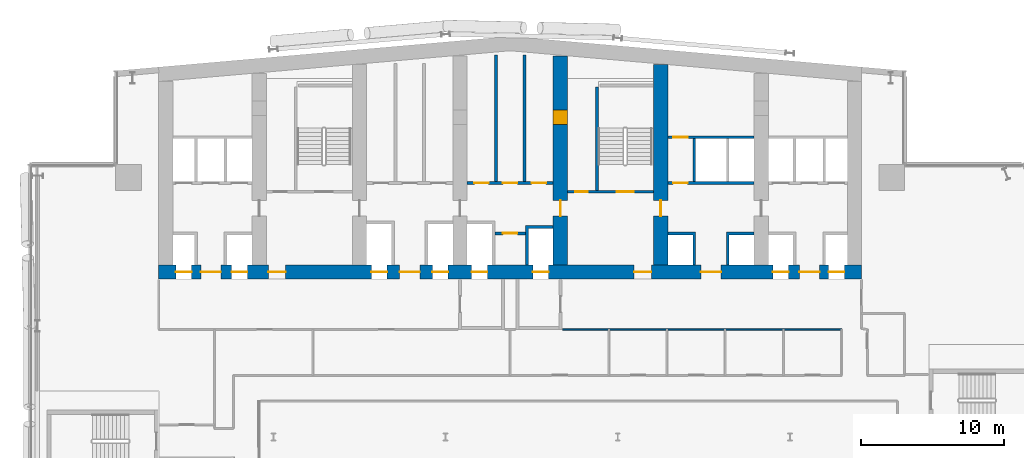
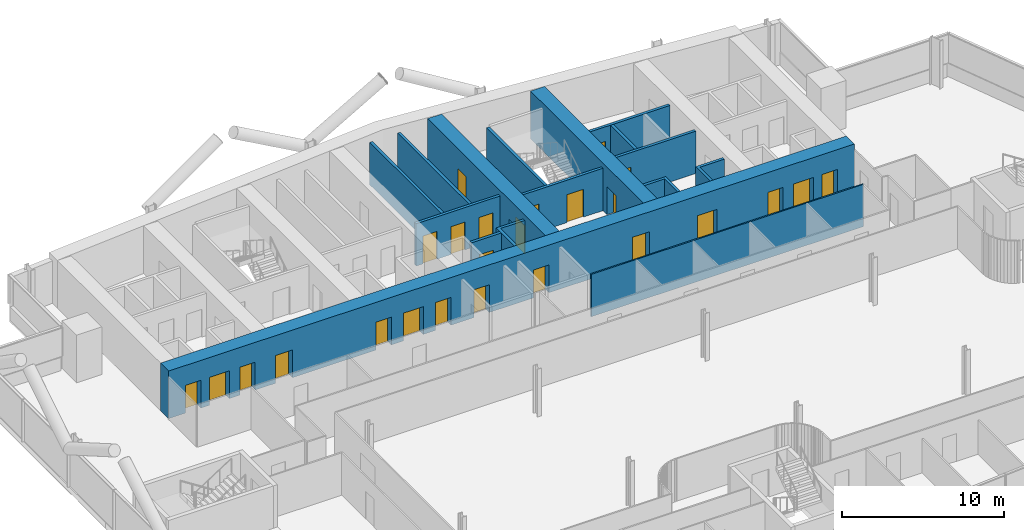
# One storey, part 21 of 30: 25 doors, 16 walls, 25 openings.
"""IFC4 building model written with IfcOpenShell, lengths in metres."""

from ifc_helpers import new_model, si_unit, direction, frame, frame_2d, origin, place, context, subcontext, project, spatial, polyline, rectangle, outline, extrude, material, layer, layer_set, type_object, element, fill, save


model = new_model("IFC4")

# Units and contexts
model_context = context("Model", 3, precision=1e-05, world=origin(), true_north=direction((0.0, 1.0)))
body_context = subcontext(model_context, "Body", "Model", "MODEL_VIEW")
ifc_project = project(units=[si_unit("LENGTHUNIT", "METRE"), si_unit("AREAUNIT", "SQUARE_METRE"), si_unit("VOLUMEUNIT", "CUBIC_METRE"), si_unit("PLANEANGLEUNIT", "RADIAN"), si_unit("MASSUNIT", "GRAM", prefix="KILO")], contexts=[model_context])

# Site, building, storey
site_placement = place(None, origin())
site = spatial("IfcSite", under=ifc_project, at=site_placement, CompositionType="ELEMENT")
building_placement = place(site_placement, origin())
building = spatial("IfcBuilding", under=site, at=building_placement, Name="Wharfspan Tower", CompositionType="ELEMENT")
storey_placement = place(building_placement, frame((0.0, 0.0, 107.5)))
storey = spatial("IfcBuildingStorey", under=building, at=storey_placement, Name="L24", CompositionType="ELEMENT", Elevation=107.5)

# Wall
ifc_material_1 = material(Name="Gypsum board on steel studs", Category="steel")
ifc_layer_1 = layer(ifc_material_1, 0.100098)
ifc_layer_set_1 = layer_set([ifc_layer_1], Name="Gypsum board on steel studs")
wall_type_1 = type_object("IfcWallType", Name="Compartment wall 100 EI 60", PredefinedType="PARTITIONING", material=ifc_layer_set_1)
wall_1_placement = place(storey_placement, frame((44.149902, 30.5, 0.0), z_axis=(0.0, 0.0, 1.0), x_axis=(1.0, 0.0, 0.0)))
element("IfcWall", 1, at=wall_1_placement, inside=storey, type_object=wall_type_1, Name="Partition L24.w005 (3)", PredefinedType="PARTITIONING", context=body_context, shape_type="SweptSolid", body=[
    extrude(rectangle(XDim=19.450195, YDim=0.100098, at=frame_2d((9.725098, 0.0))), origin(), (0.0, 0.0, 1.0), 3.199951),
])

# Wall, opening, door
ifc_material_2 = material(Name="Calcium silicate masonry", Category="masonry")
ifc_layer_2 = layer(ifc_material_2, 0.199951)
ifc_layer_set_2 = layer_set([ifc_layer_2], Name="Calcium silicate masonry")
wall_type_2 = type_object("IfcWallType", Name="Core room wall 200", PredefinedType="PARTITIONING", material=ifc_layer_set_2)
wall_2_placement = place(storey_placement, frame((39.43335, 37.199951, 0.0), z_axis=(0.0, 0.0, 1.0), x_axis=(1.0, 0.0, 0.0)))
wall_2 = element("IfcWall", 2, at=wall_2_placement, inside=storey, type_object=wall_type_2, Name="sw:L24:FR4.2", PredefinedType="PARTITIONING", context=body_context, shape_type="SweptSolid", body=[
    extrude(rectangle(XDim=2.133301, YDim=0.199951, at=frame_2d((1.06665, 0.0))), origin(), (0.0, 0.0, 1.0), 3.199951),
])
opening_1_placement = place(wall_2_placement, frame((0.56665, 0.0, 0.0)))
opening_1 = element("IfcOpeningElement", 3, at=opening_1_placement, cuts=wall_2, Name="Opening CD24.4H2", PredefinedType="OPENING", context=body_context, shape_type="SweptSolid", body=[
    extrude(rectangle(XDim=1.0, YDim=2.100098, at=frame_2d((0.5, 1.050049))), frame((0.0, 0.109863, 0.0), z_axis=(0.0, -1.0, 0.0), x_axis=(1.0, 0.0, 0.0)), (0.0, 0.0, 1.0), 0.219971),
])
ifc_material_3 = material(Name="Steel door leaf", Category="steel")
door_type_1 = type_object("IfcDoorType", Name="Core room door 1000x2100", OperationType="SINGLE_SWING_LEFT", PredefinedType="DOOR", material=ifc_material_3)
door_1_placement = place(opening_1_placement, origin())
door_1 = element("IfcDoor", 4, at=door_1_placement, inside=storey, type_object=door_type_1, Name="d:L24:4:fh4.2", OperationType="SINGLE_SWING_RIGHT", OverallHeight=2.100098, OverallWidth=1.0, PredefinedType="DOOR", context=body_context, shape_type="SweptSolid", body=[
    extrude(rectangle(XDim=1.0, YDim=2.100098, at=frame_2d((0.5, 1.050049))), frame((0.0, 0.024902, 0.0), z_axis=(0.0, -1.0, 0.0), x_axis=(1.0, 0.0, 0.0)), (0.0, 0.0, 1.0), 0.050049),
])
fill(opening_1, door_1)

# Walls
for number, where, z_axis, x_axis, name in (
    (5, (39.5, 40.800049, 0.0), (0.0, 0.0, 1.0), (0.0, 1.0, 0.0), "sw:L24:RP4.1"),
    (6, (41.5, 40.800049, 0.0), (0.0, 0.0, 1.0), (0.0, 1.0, 0.0), "sw:L24:RP4.2"),
):
    element("IfcWall", number, at=place(storey_placement, frame(where, z_axis=z_axis, x_axis=x_axis)), inside=storey, type_object=wall_type_2, Name=name, PredefinedType="PARTITIONING", context=body_context, shape_type="SweptSolid", body=[
        extrude(rectangle(XDim=8.844482, YDim=0.199951, at=frame_2d((4.422363, 0.0))), origin(), (0.0, 0.0, 1.0), 3.199951),
    ])

# Wall, openings, doors
ifc_material_4 = material(Name="Concrete C70/85", Category="concrete")
ifc_layer_3 = layer(ifc_material_4, 1.0)
ifc_layer_set_3 = layer_set([ifc_layer_3], Name="Concrete C70/85")
wall_type_3 = type_object("IfcWallType", Name="Core wall 1000 C70/85", PredefinedType="SHEAR", material=ifc_layer_set_3)
wall_3_placement = place(storey_placement, frame((16.0, 34.5, 0.0), z_axis=(0.0, 0.0, 1.0), x_axis=(1.0, 0.0, 0.0)))
wall_3 = element("IfcWall", 7, at=wall_3_placement, inside=storey, type_object=wall_type_3, Name="Core front wall L24", PredefinedType="SHEAR", context=body_context, shape_type="SweptSolid", body=[
    extrude(rectangle(XDim=49.0, YDim=1.0, at=frame_2d((24.5, 0.0))), origin(), (0.0, 0.0, 1.0), 3.600098),
])
opening_2_placement = place(wall_3_placement, frame((1.199951, 0.0, 0.0)))
opening_2 = element("IfcOpeningElement", 8, at=opening_2_placement, cuts=wall_3, Name="Opening LD.LA1.L24", PredefinedType="OPENING", context=body_context, shape_type="SweptSolid", body=[
    extrude(rectangle(XDim=1.100098, YDim=2.100098, at=frame_2d((0.550049, 1.050049))), frame((0.0, 0.51001, 0.0), z_axis=(0.0, -1.0, 0.0), x_axis=(1.0, 0.0, 0.0)), (0.0, 0.0, 1.0), 1.02002),
])
opening_3_placement = place(wall_3_placement, frame((5.083252, 0.0, 0.0)))
opening_3 = element("IfcOpeningElement", 9, at=opening_3_placement, cuts=wall_3, Name="Opening LD.LA2.L24", PredefinedType="OPENING", context=body_context, shape_type="SweptSolid", body=[
    extrude(rectangle(XDim=1.100098, YDim=2.100098, at=frame_2d((0.550049, 1.050049))), frame((0.0, 0.51001, 0.0), z_axis=(0.0, -1.0, 0.0), x_axis=(1.0, 0.0, 0.0)), (0.0, 0.0, 1.0), 1.02002),
])
opening_4_placement = place(wall_3_placement, frame((2.93335, 0.0, 0.0)))
opening_4 = element("IfcOpeningElement", 10, at=opening_4_placement, cuts=wall_3, Name="Opening HD24.1", PredefinedType="OPENING", context=body_context, shape_type="SweptSolid", body=[
    extrude(rectangle(XDim=1.399902, YDim=2.100098, at=frame_2d((0.699951, 1.050049))), frame((0.0, 0.51001, 0.0), z_axis=(0.0, -1.0, 0.0), x_axis=(1.0, 0.0, 0.0)), (0.0, 0.0, 1.0), 1.02002),
])
opening_5_placement = place(wall_3_placement, frame((7.649902, 0.0, 0.0)))
opening_5 = element("IfcOpeningElement", 11, at=opening_5_placement, cuts=wall_3, Name="Opening SV2.L24", PredefinedType="OPENING", context=body_context, shape_type="SweptSolid", body=[
    extrude(rectangle(XDim=1.199951, YDim=2.100098, at=frame_2d((0.600098, 1.050049))), frame((0.0, 0.51001, 0.0), z_axis=(0.0, -1.0, 0.0), x_axis=(1.0, 0.0, 0.0)), (0.0, 0.0, 1.0), 1.02002),
])
opening_6_placement = place(wall_3_placement, frame((14.81665, 0.0, 0.0)))
opening_6 = element("IfcOpeningElement", 12, at=opening_6_placement, cuts=wall_3, Name="Opening LD.SL1.L24", PredefinedType="OPENING", context=body_context, shape_type="SweptSolid", body=[
    extrude(rectangle(XDim=1.100098, YDim=2.100098, at=frame_2d((0.550049, 1.050049))), frame((0.0, 0.51001, 0.0), z_axis=(0.0, -1.0, 0.0), x_axis=(1.0, 0.0, 0.0)), (0.0, 0.0, 1.0), 1.02002),
])
opening_7_placement = place(wall_3_placement, frame((19.083252, 0.0, 0.0)))
opening_7 = element("IfcOpeningElement", 13, at=opening_7_placement, cuts=wall_3, Name="Opening LD.SL2.L24", PredefinedType="OPENING", context=body_context, shape_type="SweptSolid", body=[
    extrude(rectangle(XDim=1.100098, YDim=2.100098, at=frame_2d((0.550049, 1.050049))), frame((0.0, 0.51001, 0.0), z_axis=(0.0, -1.0, 0.0), x_axis=(1.0, 0.0, 0.0)), (0.0, 0.0, 1.0), 1.02002),
])
opening_8_placement = place(wall_3_placement, frame((16.800049, 0.0, 0.0)))
opening_8 = element("IfcOpeningElement", 14, at=opening_8_placement, cuts=wall_3, Name="Opening HD24.3", PredefinedType="OPENING", context=body_context, shape_type="SweptSolid", body=[
    extrude(rectangle(XDim=1.399902, YDim=2.100098, at=frame_2d((0.699951, 1.050049))), frame((0.0, 0.51001, 0.0), z_axis=(0.0, -1.0, 0.0), x_axis=(1.0, 0.0, 0.0)), (0.0, 0.0, 1.0), 1.02002),
])
opening_9_placement = place(wall_3_placement, frame((21.81665, 0.0, 0.0)))
opening_9 = element("IfcOpeningElement", 15, at=opening_9_placement, cuts=wall_3, Name="Opening LD.FF1.L24", PredefinedType="OPENING", context=body_context, shape_type="SweptSolid", body=[
    extrude(rectangle(XDim=1.100098, YDim=2.100098, at=frame_2d((0.550049, 1.050049))), frame((0.0, 0.51001, 0.0), z_axis=(0.0, -1.0, 0.0), x_axis=(1.0, 0.0, 0.0)), (0.0, 0.0, 1.0), 1.02002),
])
opening_10_placement = place(wall_3_placement, frame((26.083252, 0.0, 0.0)))
opening_10 = element("IfcOpeningElement", 16, at=opening_10_placement, cuts=wall_3, Name="Opening LD.FF2.L24", PredefinedType="OPENING", context=body_context, shape_type="SweptSolid", body=[
    extrude(rectangle(XDim=1.100098, YDim=2.100098, at=frame_2d((0.550049, 1.050049))), frame((0.0, 0.51001, 0.0), z_axis=(0.0, -1.0, 0.0), x_axis=(1.0, 0.0, 0.0)), (0.0, 0.0, 1.0), 1.02002),
])
opening_11_placement = place(wall_3_placement, frame((33.149902, 0.0, 0.0)))
opening_11 = element("IfcOpeningElement", 17, at=opening_11_placement, cuts=wall_3, Name="Opening SV5.L24", PredefinedType="OPENING", context=body_context, shape_type="SweptSolid", body=[
    extrude(rectangle(XDim=1.199951, YDim=2.100098, at=frame_2d((0.600098, 1.050049))), frame((0.0, 0.51001, 0.0), z_axis=(0.0, -1.0, 0.0), x_axis=(1.0, 0.0, 0.0)), (0.0, 0.0, 1.0), 1.02002),
])
opening_12_placement = place(wall_3_placement, frame((37.800049, 0.0, 0.0)))
opening_12 = element("IfcOpeningElement", 18, at=opening_12_placement, cuts=wall_3, Name="Opening HD24.6", PredefinedType="OPENING", context=body_context, shape_type="SweptSolid", body=[
    extrude(rectangle(XDim=1.399902, YDim=2.100098, at=frame_2d((0.699951, 1.050049))), frame((0.0, 0.51001, 0.0), z_axis=(0.0, -1.0, 0.0), x_axis=(1.0, 0.0, 0.0)), (0.0, 0.0, 1.0), 1.02002),
])
opening_13_placement = place(wall_3_placement, frame((42.81665, 0.0, 0.0)))
opening_13 = element("IfcOpeningElement", 19, at=opening_13_placement, cuts=wall_3, Name="Opening LD.LA6.L24", PredefinedType="OPENING", context=body_context, shape_type="SweptSolid", body=[
    extrude(rectangle(XDim=1.100098, YDim=2.100098, at=frame_2d((0.550049, 1.050049))), frame((0.0, 0.51001, 0.0), z_axis=(0.0, -1.0, 0.0), x_axis=(1.0, 0.0, 0.0)), (0.0, 0.0, 1.0), 1.02002),
])
opening_14_placement = place(wall_3_placement, frame((46.699951, 0.0, 0.0)))
opening_14 = element("IfcOpeningElement", 20, at=opening_14_placement, cuts=wall_3, Name="Opening LD.LA7.L24", PredefinedType="OPENING", context=body_context, shape_type="SweptSolid", body=[
    extrude(rectangle(XDim=1.100098, YDim=2.100098, at=frame_2d((0.550049, 1.050049))), frame((0.0, 0.51001, 0.0), z_axis=(0.0, -1.0, 0.0), x_axis=(1.0, 0.0, 0.0)), (0.0, 0.0, 1.0), 1.02002),
])
opening_15_placement = place(wall_3_placement, frame((44.666748, 0.0, 0.0)))
opening_15 = element("IfcOpeningElement", 21, at=opening_15_placement, cuts=wall_3, Name="Opening HD24.7", PredefinedType="OPENING", context=body_context, shape_type="SweptSolid", body=[
    extrude(rectangle(XDim=1.399902, YDim=2.100098, at=frame_2d((0.699951, 1.050049))), frame((0.0, 0.51001, 0.0), z_axis=(0.0, -1.0, 0.0), x_axis=(1.0, 0.0, 0.0)), (0.0, 0.0, 1.0), 1.02002),
])
door_type_2 = type_object("IfcDoorType", Name="Hall entry door 1400x2100", OperationType="DOUBLE_DOOR_SINGLE_SWING", PredefinedType="DOOR", material=ifc_material_3)
door_2_placement = place(opening_4_placement, origin())
door_2 = element("IfcDoor", 22, at=door_2_placement, inside=storey, type_object=door_type_2, Name="d:L24:1:hd1", OperationType="DOUBLE_DOOR_SINGLE_SWING", OverallHeight=2.100098, OverallWidth=1.399902, PredefinedType="DOOR", context=body_context, shape_type="SweptSolid", body=[
    extrude(rectangle(XDim=1.399902, YDim=2.100098, at=frame_2d((0.699951, 1.050049))), frame((0.0, 0.024902, 0.0), z_axis=(0.0, -1.0, 0.0), x_axis=(1.0, 0.0, 0.0)), (0.0, 0.0, 1.0), 0.050049),
])
fill(opening_4, door_2)
door_3_placement = place(opening_8_placement, origin())
door_3 = element("IfcDoor", 23, at=door_3_placement, inside=storey, type_object=door_type_2, Name="d:L24:3:hd3", OperationType="DOUBLE_DOOR_SINGLE_SWING", OverallHeight=2.100098, OverallWidth=1.399902, PredefinedType="DOOR", context=body_context, shape_type="SweptSolid", body=[
    extrude(rectangle(XDim=1.399902, YDim=2.100098, at=frame_2d((0.699951, 1.050049))), frame((0.0, 0.024902, 0.0), z_axis=(0.0, -1.0, 0.0), x_axis=(1.0, 0.0, 0.0)), (0.0, 0.0, 1.0), 0.050049),
])
fill(opening_8, door_3)
door_4_placement = place(opening_12_placement, origin())
door_4 = element("IfcDoor", 24, at=door_4_placement, inside=storey, type_object=door_type_2, Name="d:L24:6:hd6", OperationType="DOUBLE_DOOR_SINGLE_SWING", OverallHeight=2.100098, OverallWidth=1.399902, PredefinedType="DOOR", context=body_context, shape_type="SweptSolid", body=[
    extrude(rectangle(XDim=1.399902, YDim=2.100098, at=frame_2d((0.699951, 1.050049))), frame((0.0, 0.024902, 0.0), z_axis=(0.0, -1.0, 0.0), x_axis=(1.0, 0.0, 0.0)), (0.0, 0.0, 1.0), 0.050049),
])
fill(opening_12, door_4)
door_5_placement = place(opening_15_placement, origin())
door_5 = element("IfcDoor", 25, at=door_5_placement, inside=storey, type_object=door_type_2, Name="d:L24:7:hd7", OperationType="DOUBLE_DOOR_SINGLE_SWING", OverallHeight=2.100098, OverallWidth=1.399902, PredefinedType="DOOR", context=body_context, shape_type="SweptSolid", body=[
    extrude(rectangle(XDim=1.399902, YDim=2.100098, at=frame_2d((0.699951, 1.050049))), frame((0.0, 0.024902, 0.0), z_axis=(0.0, -1.0, 0.0), x_axis=(1.0, 0.0, 0.0)), (0.0, 0.0, 1.0), 0.050049),
])
fill(opening_15, door_5)
ifc_material_5 = material(Name="Stainless steel", Category="steel")
door_type_3 = type_object("IfcDoorType", Name="Lift landing door 1100x2100", OperationType="DOUBLE_DOOR_SLIDING", PredefinedType="DOOR", material=ifc_material_5)
door_6_placement = place(opening_2_placement, origin())
door_6 = element("IfcDoor", 26, at=door_6_placement, inside=storey, type_object=door_type_3, Name="Landing door LA1 L24", OperationType="DOUBLE_DOOR_SLIDING", OverallHeight=2.100098, OverallWidth=1.100098, PredefinedType="DOOR", context=body_context, shape_type="SweptSolid", body=[
    extrude(rectangle(XDim=1.100098, YDim=2.100098, at=frame_2d((0.550049, 1.050049))), frame((0.0, 0.024902, 0.0), z_axis=(0.0, -1.0, 0.0), x_axis=(1.0, 0.0, 0.0)), (0.0, 0.0, 1.0), 0.050049),
])
fill(opening_2, door_6)
door_7_placement = place(opening_3_placement, origin())
door_7 = element("IfcDoor", 27, at=door_7_placement, inside=storey, type_object=door_type_3, Name="Landing door LA2 L24", OperationType="DOUBLE_DOOR_SLIDING", OverallHeight=2.100098, OverallWidth=1.100098, PredefinedType="DOOR", context=body_context, shape_type="SweptSolid", body=[
    extrude(rectangle(XDim=1.100098, YDim=2.100098, at=frame_2d((0.550049, 1.050049))), frame((0.0, 0.024902, 0.0), z_axis=(0.0, -1.0, 0.0), x_axis=(1.0, 0.0, 0.0)), (0.0, 0.0, 1.0), 0.050049),
])
fill(opening_3, door_7)
door_8_placement = place(opening_6_placement, origin())
door_8 = element("IfcDoor", 28, at=door_8_placement, inside=storey, type_object=door_type_3, Name="Landing door SL1 L24", OperationType="DOUBLE_DOOR_SLIDING", OverallHeight=2.100098, OverallWidth=1.100098, PredefinedType="DOOR", context=body_context, shape_type="SweptSolid", body=[
    extrude(rectangle(XDim=1.100098, YDim=2.100098, at=frame_2d((0.550049, 1.050049))), frame((0.0, 0.024902, 0.0), z_axis=(0.0, -1.0, 0.0), x_axis=(1.0, 0.0, 0.0)), (0.0, 0.0, 1.0), 0.050049),
])
fill(opening_6, door_8)
door_9_placement = place(opening_7_placement, origin())
door_9 = element("IfcDoor", 29, at=door_9_placement, inside=storey, type_object=door_type_3, Name="Landing door SL2 L24", OperationType="DOUBLE_DOOR_SLIDING", OverallHeight=2.100098, OverallWidth=1.100098, PredefinedType="DOOR", context=body_context, shape_type="SweptSolid", body=[
    extrude(rectangle(XDim=1.100098, YDim=2.100098, at=frame_2d((0.550049, 1.050049))), frame((0.0, 0.024902, 0.0), z_axis=(0.0, -1.0, 0.0), x_axis=(1.0, 0.0, 0.0)), (0.0, 0.0, 1.0), 0.050049),
])
fill(opening_7, door_9)
door_10_placement = place(opening_9_placement, origin())
door_10 = element("IfcDoor", 30, at=door_10_placement, inside=storey, type_object=door_type_3, Name="Landing door FF1 L24", OperationType="DOUBLE_DOOR_SLIDING", OverallHeight=2.100098, OverallWidth=1.100098, PredefinedType="DOOR", context=body_context, shape_type="SweptSolid", body=[
    extrude(rectangle(XDim=1.100098, YDim=2.100098, at=frame_2d((0.550049, 1.050049))), frame((0.0, 0.024902, 0.0), z_axis=(0.0, -1.0, 0.0), x_axis=(1.0, 0.0, 0.0)), (0.0, 0.0, 1.0), 0.050049),
])
fill(opening_9, door_10)
door_11_placement = place(opening_10_placement, origin())
door_11 = element("IfcDoor", 31, at=door_11_placement, inside=storey, type_object=door_type_3, Name="Landing door FF2 L24", OperationType="DOUBLE_DOOR_SLIDING", OverallHeight=2.100098, OverallWidth=1.100098, PredefinedType="DOOR", context=body_context, shape_type="SweptSolid", body=[
    extrude(rectangle(XDim=1.100098, YDim=2.100098, at=frame_2d((0.550049, 1.050049))), frame((0.0, 0.024902, 0.0), z_axis=(0.0, -1.0, 0.0), x_axis=(1.0, 0.0, 0.0)), (0.0, 0.0, 1.0), 0.050049),
])
fill(opening_10, door_11)
door_12_placement = place(opening_13_placement, origin())
door_12 = element("IfcDoor", 32, at=door_12_placement, inside=storey, type_object=door_type_3, Name="Landing door LA6 L24", OperationType="DOUBLE_DOOR_SLIDING", OverallHeight=2.100098, OverallWidth=1.100098, PredefinedType="DOOR", context=body_context, shape_type="SweptSolid", body=[
    extrude(rectangle(XDim=1.100098, YDim=2.100098, at=frame_2d((0.550049, 1.050049))), frame((0.0, 0.024902, 0.0), z_axis=(0.0, -1.0, 0.0), x_axis=(1.0, 0.0, 0.0)), (0.0, 0.0, 1.0), 0.050049),
])
fill(opening_13, door_12)
door_13_placement = place(opening_14_placement, origin())
door_13 = element("IfcDoor", 33, at=door_13_placement, inside=storey, type_object=door_type_3, Name="Landing door LA7 L24", OperationType="DOUBLE_DOOR_SLIDING", OverallHeight=2.100098, OverallWidth=1.100098, PredefinedType="DOOR", context=body_context, shape_type="SweptSolid", body=[
    extrude(rectangle(XDim=1.100098, YDim=2.100098, at=frame_2d((0.550049, 1.050049))), frame((0.0, 0.024902, 0.0), z_axis=(0.0, -1.0, 0.0), x_axis=(1.0, 0.0, 0.0)), (0.0, 0.0, 1.0), 0.050049),
])
fill(opening_14, door_13)
door_type_4 = type_object("IfcDoorType", Name="Stair door 1200x2100", OperationType="SINGLE_SWING_LEFT", PredefinedType="DOOR", material=ifc_material_3)
door_14_placement = place(opening_5_placement, origin())
door_14 = element("IfcDoor", 34, at=door_14_placement, inside=storey, type_object=door_type_4, Name="vd:L24:2", OperationType="SINGLE_SWING_LEFT", OverallHeight=2.100098, OverallWidth=1.199951, PredefinedType="DOOR", context=body_context, shape_type="SweptSolid", body=[
    extrude(rectangle(XDim=1.199951, YDim=2.100098, at=frame_2d((0.600098, 1.050049))), frame((0.0, 0.024902, 0.0), z_axis=(0.0, -1.0, 0.0), x_axis=(1.0, 0.0, 0.0)), (0.0, 0.0, 1.0), 0.050049),
])
fill(opening_5, door_14)
door_15_placement = place(opening_11_placement, origin())
door_15 = element("IfcDoor", 35, at=door_15_placement, inside=storey, type_object=door_type_4, Name="vd:L24:5", OperationType="SINGLE_SWING_LEFT", OverallHeight=2.100098, OverallWidth=1.199951, PredefinedType="DOOR", context=body_context, shape_type="SweptSolid", body=[
    extrude(rectangle(XDim=1.199951, YDim=2.100098, at=frame_2d((0.600098, 1.050049))), frame((0.0, 0.024902, 0.0), z_axis=(0.0, -1.0, 0.0), x_axis=(1.0, 0.0, 0.0)), (0.0, 0.0, 1.0), 0.050049),
])
fill(opening_11, door_15)

wall_4_placement = place(storey_placement, frame((44.0, 35.0, 0.0), z_axis=(0.0, 0.0, 1.0), x_axis=(0.0, 1.0, 0.0)))
wall_4 = element("IfcWall", 36, at=wall_4_placement, inside=storey, type_object=wall_type_3, Name="Core cross wall X5 L24", PredefinedType="SHEAR", context=body_context, shape_type="SweptSolid", body=[
    extrude(rectangle(XDim=14.577148, YDim=1.0, at=frame_2d((7.288574, 0.0))), origin(), (0.0, 0.0, 1.0), 3.600098),
])
opening_16_placement = place(wall_4_placement, frame((3.399902, 0.0, 0.0)))
opening_16 = element("IfcOpeningElement", 37, at=opening_16_placement, cuts=wall_4, Name="Opening CC24.5", PredefinedType="OPENING", context=body_context, shape_type="SweptSolid", body=[
    extrude(rectangle(XDim=1.100098, YDim=2.100098, at=frame_2d((0.550049, 1.050049))), frame((0.0, 0.51001, 0.0), z_axis=(0.0, -1.0, 0.0), x_axis=(1.0, 0.0, 0.0)), (0.0, 0.0, 1.0), 1.02002),
])
opening_17_placement = place(wall_4_placement, frame((9.800049, 0.0, 0.0)))
opening_17 = element("IfcOpeningElement", 38, at=opening_17_placement, cuts=wall_4, Name="Opening CR24.5", PredefinedType="OPENING", context=body_context, shape_type="SweptSolid", body=[
    extrude(rectangle(XDim=1.0, YDim=2.100098, at=frame_2d((0.5, 1.050049))), frame((0.0, 0.51001, 0.0), z_axis=(0.0, -1.0, 0.0), x_axis=(1.0, 0.0, 0.0)), (0.0, 0.0, 1.0), 1.02002),
])
door_type_5 = type_object("IfcDoorType", Name="Core corridor door 1100x2100", OperationType="SINGLE_SWING_LEFT", PredefinedType="DOOR", material=ifc_material_3)
door_16_placement = place(opening_16_placement, origin())
door_16 = element("IfcDoor", 39, at=door_16_placement, inside=storey, type_object=door_type_5, Name="xd:L24:5", OperationType="SINGLE_SWING_LEFT", OverallHeight=2.100098, OverallWidth=1.100098, PredefinedType="DOOR", context=body_context, shape_type="SweptSolid", body=[
    extrude(rectangle(XDim=1.100098, YDim=2.100098, at=frame_2d((0.550049, 1.050049))), frame((0.0, 0.024902, 0.0), z_axis=(0.0, -1.0, 0.0), x_axis=(1.0, 0.0, 0.0)), (0.0, 0.0, 1.0), 0.050049),
])
fill(opening_16, door_16)
door_17_placement = place(opening_17_placement, origin())
door_17 = element("IfcDoor", 40, at=door_17_placement, inside=storey, type_object=door_type_1, Name="xr:L24:5", OperationType="SINGLE_SWING_RIGHT", OverallHeight=2.100098, OverallWidth=1.0, PredefinedType="DOOR", context=body_context, shape_type="SweptSolid", body=[
    extrude(rectangle(XDim=1.0, YDim=2.100098, at=frame_2d((0.5, 1.050049))), frame((0.0, 0.499756, 0.0), z_axis=(0.0, -1.0, 0.0), x_axis=(1.0, 0.0, 0.0)), (0.0, 0.0, 1.0), 0.999512),
])
fill(opening_17, door_17)

# Wall, opening, door
wall_5_placement = place(storey_placement, frame((51.0, 35.0, 0.0), z_axis=(0.0, 0.0, 1.0), x_axis=(0.0, 1.0, 0.0)))
wall_5 = element("IfcWall", 41, at=wall_5_placement, inside=storey, type_object=wall_type_3, Name="Core cross wall X6 L24", PredefinedType="SHEAR", context=body_context, shape_type="SweptSolid", body=[
    extrude(rectangle(XDim=13.9646, YDim=1.0, at=frame_2d((6.982422, 0.0))), origin(), (0.0, 0.0, 1.0), 3.600098),
])
opening_18_placement = place(wall_5_placement, frame((3.399902, 0.0, 0.0)))
opening_18 = element("IfcOpeningElement", 42, at=opening_18_placement, cuts=wall_5, Name="Opening CC24.6", PredefinedType="OPENING", context=body_context, shape_type="SweptSolid", body=[
    extrude(rectangle(XDim=1.100098, YDim=2.100098, at=frame_2d((0.550049, 1.050049))), frame((0.0, 0.51001, 0.0), z_axis=(0.0, -1.0, 0.0), x_axis=(1.0, 0.0, 0.0)), (0.0, 0.0, 1.0), 1.02002),
])
door_18_placement = place(opening_18_placement, origin())
door_18 = element("IfcDoor", 43, at=door_18_placement, inside=storey, type_object=door_type_5, Name="xd:L24:6", OperationType="SINGLE_SWING_RIGHT", OverallHeight=2.100098, OverallWidth=1.100098, PredefinedType="DOOR", context=body_context, shape_type="SweptSolid", body=[
    extrude(rectangle(XDim=1.100098, YDim=2.100098, at=frame_2d((0.550049, 1.050049))), frame((0.0, 0.024902, 0.0), z_axis=(0.0, -1.0, 0.0), x_axis=(1.0, 0.0, 0.0)), (0.0, 0.0, 1.0), 0.050049),
])
fill(opening_18, door_18)

# Wall, openings, doors
ifc_material_6 = material(Name="Concrete C30/37", Category="concrete")
ifc_layer_4 = layer(ifc_material_6, 0.199951)
ifc_layer_set_4 = layer_set([ifc_layer_4], Name="Concrete C30/37")
wall_type_4 = type_object("IfcWallType", Name="Lift shaft wall 200", PredefinedType="PARTITIONING", material=ifc_layer_set_4)
wall_6_placement = place(storey_placement, frame((37.5, 40.699951, 0.0), z_axis=(0.0, 0.0, 1.0), x_axis=(1.0, 0.0, 0.0)))
wall_6 = element("IfcWall", 44, at=wall_6_placement, inside=storey, type_object=wall_type_4, Name="sw:L24:RF4", PredefinedType="PARTITIONING", context=body_context, shape_type="SweptSolid", body=[
    extrude(rectangle(XDim=6.0, YDim=0.199951, at=frame_2d((3.0, 0.0))), origin(), (0.0, 0.0, 1.0), 3.199951),
])
opening_19_placement = place(wall_6_placement, frame((0.5, 0.0, 0.0)))
opening_19 = element("IfcOpeningElement", 45, at=opening_19_placement, cuts=wall_6, Name="Opening CD24.4S", PredefinedType="OPENING", context=body_context, shape_type="SweptSolid", body=[
    extrude(rectangle(XDim=1.0, YDim=2.100098, at=frame_2d((0.5, 1.050049))), frame((0.0, 0.109863, 0.0), z_axis=(0.0, -1.0, 0.0), x_axis=(1.0, 0.0, 0.0)), (0.0, 0.0, 1.0), 0.219971),
])
opening_20_placement = place(wall_6_placement, frame((2.5, 0.0, 0.0)))
opening_20 = element("IfcOpeningElement", 46, at=opening_20_placement, cuts=wall_6, Name="Opening CD24.4Sa", PredefinedType="OPENING", context=body_context, shape_type="SweptSolid", body=[
    extrude(rectangle(XDim=1.0, YDim=2.100098, at=frame_2d((0.5, 1.050049))), frame((0.0, 0.109863, 0.0), z_axis=(0.0, -1.0, 0.0), x_axis=(1.0, 0.0, 0.0)), (0.0, 0.0, 1.0), 0.219971),
])
opening_21_placement = place(wall_6_placement, frame((4.5, 0.0, 0.0)))
opening_21 = element("IfcOpeningElement", 47, at=opening_21_placement, cuts=wall_6, Name="Opening CD24.4Sb", PredefinedType="OPENING", context=body_context, shape_type="SweptSolid", body=[
    extrude(rectangle(XDim=1.0, YDim=2.100098, at=frame_2d((0.5, 1.050049))), frame((0.0, 0.109863, 0.0), z_axis=(0.0, -1.0, 0.0), x_axis=(1.0, 0.0, 0.0)), (0.0, 0.0, 1.0), 0.219971),
])
door_19_placement = place(opening_19_placement, origin())
door_19 = element("IfcDoor", 48, at=door_19_placement, inside=storey, type_object=door_type_1, Name="d:L24:4:sf", OperationType="SINGLE_SWING_LEFT", OverallHeight=2.100098, OverallWidth=1.0, PredefinedType="DOOR", context=body_context, shape_type="SweptSolid", body=[
    extrude(rectangle(XDim=1.0, YDim=2.100098, at=frame_2d((0.5, 1.050049))), frame((0.0, 0.024902, 0.0), z_axis=(0.0, -1.0, 0.0), x_axis=(1.0, 0.0, 0.0)), (0.0, 0.0, 1.0), 0.050049),
])
fill(opening_19, door_19)
door_20_placement = place(opening_20_placement, origin())
door_20 = element("IfcDoor", 49, at=door_20_placement, inside=storey, type_object=door_type_1, Name="d:L24:4:sf1", OperationType="SINGLE_SWING_LEFT", OverallHeight=2.100098, OverallWidth=1.0, PredefinedType="DOOR", context=body_context, shape_type="SweptSolid", body=[
    extrude(rectangle(XDim=1.0, YDim=2.100098, at=frame_2d((0.5, 1.050049))), frame((0.0, 0.024902, 0.0), z_axis=(0.0, -1.0, 0.0), x_axis=(1.0, 0.0, 0.0)), (0.0, 0.0, 1.0), 0.050049),
])
fill(opening_20, door_20)
door_21_placement = place(opening_21_placement, origin())
door_21 = element("IfcDoor", 50, at=door_21_placement, inside=storey, type_object=door_type_1, Name="d:L24:4:sf2", OperationType="SINGLE_SWING_LEFT", OverallHeight=2.100098, OverallWidth=1.0, PredefinedType="DOOR", context=body_context, shape_type="SweptSolid", body=[
    extrude(rectangle(XDim=1.0, YDim=2.100098, at=frame_2d((0.5, 1.050049))), frame((0.0, 0.024902, 0.0), z_axis=(0.0, -1.0, 0.0), x_axis=(1.0, 0.0, 0.0)), (0.0, 0.0, 1.0), 0.050049),
])
fill(opening_21, door_21)

# Wall
wall_7_placement = place(storey_placement, frame((0.0, 0.0, -0.000244)))
element("IfcWall", 51, at=wall_7_placement, inside=storey, type_object=wall_type_4, Name="sw:L24:FM4.0", PredefinedType="PARTITIONING", context=body_context, shape_type="SweptSolid", body=[
    extrude(outline(polyline([(41.56665, 37.75), (41.766602, 37.75), (43.5, 37.75), (43.5, 37.550049), (41.766602, 37.550049), (41.766602, 35.0), (41.56665, 35.0), (41.56665, 37.75)])), origin(), (0.0, 0.0, 1.0), 3.200195),
])

# Wall, opening, door
wall_8_placement = place(storey_placement, frame((51.5, 40.699951, 0.0), z_axis=(0.0, 0.0, 1.0), x_axis=(1.0, 0.0, 0.0)))
wall_8 = element("IfcWall", 52, at=wall_8_placement, inside=storey, type_object=wall_type_4, Name="sw:L24:RF6", PredefinedType="PARTITIONING", context=body_context, shape_type="SweptSolid", body=[
    extrude(rectangle(XDim=6.0, YDim=0.199951, at=frame_2d((3.0, 0.0))), origin(), (0.0, 0.0, 1.0), 3.199951),
])
opening_22_placement = place(wall_8_placement, frame((0.366699, 0.0, 0.0)))
opening_22 = element("IfcOpeningElement", 53, at=opening_22_placement, cuts=wall_8, Name="Opening CD24.6R1", PredefinedType="OPENING", context=body_context, shape_type="SweptSolid", body=[
    extrude(rectangle(XDim=1.0, YDim=2.100098, at=frame_2d((0.5, 1.050049))), frame((0.0, 0.109863, 0.0), z_axis=(0.0, -1.0, 0.0), x_axis=(1.0, 0.0, 0.0)), (0.0, 0.0, 1.0), 0.219971),
])
door_22_placement = place(opening_22_placement, origin())
door_22 = element("IfcDoor", 54, at=door_22_placement, inside=storey, type_object=door_type_1, Name="d:L24:6:rd6.1", OperationType="SINGLE_SWING_RIGHT", OverallHeight=2.100098, OverallWidth=1.0, PredefinedType="DOOR", context=body_context, shape_type="SweptSolid", body=[
    extrude(rectangle(XDim=1.0, YDim=2.100098, at=frame_2d((0.5, 1.050049))), frame((0.0, 0.024902, 0.0), z_axis=(0.0, -1.0, 0.0), x_axis=(1.0, 0.0, 0.0)), (0.0, 0.0, 1.0), 0.050049),
])
fill(opening_22, door_22)

wall_9_placement = place(storey_placement, frame((51.5, 43.899902, 0.0), z_axis=(0.0, 0.0, 1.0), x_axis=(1.0, 0.0, 0.0)))
wall_9 = element("IfcWall", 55, at=wall_9_placement, inside=storey, type_object=wall_type_4, Name="sw:L24:RR6", PredefinedType="PARTITIONING", context=body_context, shape_type="SweptSolid", body=[
    extrude(rectangle(XDim=6.0, YDim=0.199951, at=frame_2d((3.0, 0.0))), origin(), (0.0, 0.0, 1.0), 3.199951),
])
opening_23_placement = place(wall_9_placement, frame((0.366699, 0.0, 0.0)))
opening_23 = element("IfcOpeningElement", 56, at=opening_23_placement, cuts=wall_9, Name="Opening CD24.6S1", PredefinedType="OPENING", context=body_context, shape_type="SweptSolid", body=[
    extrude(rectangle(XDim=1.0, YDim=2.100098, at=frame_2d((0.5, 1.050049))), frame((0.0, 0.109863, 0.0), z_axis=(0.0, -1.0, 0.0), x_axis=(1.0, 0.0, 0.0)), (0.0, 0.0, 1.0), 0.219971),
])
door_23_placement = place(opening_23_placement, origin())
door_23 = element("IfcDoor", 57, at=door_23_placement, inside=storey, type_object=door_type_1, Name="d:L24:6:rs6.1", OperationType="SINGLE_SWING_LEFT", OverallHeight=2.100098, OverallWidth=1.0, PredefinedType="DOOR", context=body_context, shape_type="SweptSolid", body=[
    extrude(rectangle(XDim=1.0, YDim=2.100098, at=frame_2d((0.5, 1.050049))), frame((0.0, 0.024902, 0.0), z_axis=(0.0, -1.0, 0.0), x_axis=(1.0, 0.0, 0.0)), (0.0, 0.0, 1.0), 0.050049),
])
fill(opening_23, door_23)

# Walls
wall_10_placement = place(storey_placement, frame((0.0, 0.0, -0.000244)))
element("IfcWall", 58, at=wall_10_placement, inside=storey, type_object=wall_type_4, Name="sw:L24:FM6.0", PredefinedType="PARTITIONING", context=body_context, shape_type="SweptSolid", body=[
    extrude(outline(polyline([(53.233398, 37.100098), (51.5, 37.100098), (51.5, 37.300049), (53.233398, 37.300049), (53.43335, 37.300049), (53.43335, 35.0), (53.233398, 35.0), (53.233398, 37.100098)])), origin(), (0.0, 0.0, 1.0), 3.200195),
])
wall_11_placement = place(storey_placement, frame((0.0, 0.0, -0.000244)))
element("IfcWall", 59, at=wall_11_placement, inside=storey, type_object=wall_type_4, Name="sw:L24:FM6.1", PredefinedType="PARTITIONING", context=body_context, shape_type="SweptSolid", body=[
    extrude(outline(polyline([(55.56665, 37.300049), (55.766602, 37.300049), (57.5, 37.300049), (57.5, 37.100098), (55.766602, 37.100098), (55.766602, 35.0), (55.56665, 35.0), (55.56665, 37.300049)])), origin(), (0.0, 0.0, 1.0), 3.200195),
])
wall_12_placement = place(storey_placement, frame((0.0, 0.0, -0.000244)))
element("IfcWall", 60, at=wall_12_placement, inside=storey, type_object=wall_type_4, Name="sw:L24:RM6.0", PredefinedType="PARTITIONING", context=body_context, shape_type="SweptSolid", body=[
    extrude(outline(polyline([(53.233398, 40.800049), (53.233398, 43.800049), (53.43335, 43.800049), (53.43335, 40.800049), (53.233398, 40.800049)])), origin(), (0.0, 0.0, 1.0), 3.200195),
])

# Wall, openings, doors
ifc_material_7 = material(Name="Concrete C40/50", Category="concrete")
ifc_layer_5 = layer(ifc_material_7, 0.199951)
ifc_layer_set_5 = layer_set([ifc_layer_5], Name="Concrete C40/50")
wall_type_5 = type_object("IfcWallType", Name="Stair shaft wall 200", PredefinedType="SHEAR", material=ifc_layer_set_5)
wall_13_placement = place(storey_placement, frame((44.5, 40.100098, 0.0), z_axis=(0.0, 0.0, 1.0), x_axis=(1.0, 0.0, 0.0)))
wall_13 = element("IfcWall", 61, at=wall_13_placement, inside=storey, type_object=wall_type_5, Name="ST2 stair enclosure wall L24", PredefinedType="SHEAR", context=body_context, shape_type="SweptSolid", body=[
    extrude(rectangle(XDim=6.0, YDim=0.199951, at=frame_2d((3.0, 0.0))), origin(), (0.0, 0.0, 1.0), 3.199951),
])
opening_24_placement = place(wall_13_placement, frame((3.425049, 0.0, 0.0)))
opening_24 = element("IfcOpeningElement", 62, at=opening_24_placement, cuts=wall_13, Name="Opening SD5.L24", PredefinedType="OPENING", context=body_context, shape_type="SweptSolid", body=[
    extrude(rectangle(XDim=1.199951, YDim=2.100098, at=frame_2d((0.600098, 1.050049))), frame((0.0, 0.109863, 0.0), z_axis=(0.0, -1.0, 0.0), x_axis=(1.0, 0.0, 0.0)), (0.0, 0.0, 1.0), 0.219971),
])
opening_25_placement = place(wall_13_placement, frame((0.524902, 0.0, 0.0)))
opening_25 = element("IfcOpeningElement", 63, at=opening_25_placement, cuts=wall_13, Name="Opening CD24.5R", PredefinedType="OPENING", context=body_context, shape_type="SweptSolid", body=[
    extrude(rectangle(XDim=0.899902, YDim=2.100098, at=frame_2d((0.449951, 1.050049))), frame((0.0, 0.109863, 0.0), z_axis=(0.0, -1.0, 0.0), x_axis=(1.0, 0.0, 0.0)), (0.0, 0.0, 1.0), 0.219971),
])
door_24_placement = place(opening_25_placement, origin())
door_24 = element("IfcDoor", 64, at=door_24_placement, inside=storey, type_object=door_type_1, Name="rk:L24:5", OperationType="SINGLE_SWING_LEFT", OverallHeight=2.100098, OverallWidth=0.899902, PredefinedType="DOOR", context=body_context, shape_type="SweptSolid", body=[
    extrude(rectangle(XDim=0.899902, YDim=2.100098, at=frame_2d((0.449951, 1.050049))), frame((0.0, 0.024902, 0.0), z_axis=(0.0, -1.0, 0.0), x_axis=(1.0, 0.0, 0.0)), (0.0, 0.0, 1.0), 0.050049),
])
fill(opening_25, door_24)
door_25_placement = place(opening_24_placement, origin())
door_25 = element("IfcDoor", 65, at=door_25_placement, inside=storey, type_object=door_type_4, Name="sd:L24:5", OperationType="SINGLE_SWING_RIGHT", OverallHeight=2.100098, OverallWidth=1.199951, PredefinedType="DOOR", context=body_context, shape_type="SweptSolid", body=[
    extrude(rectangle(XDim=1.199951, YDim=2.100098, at=frame_2d((0.600098, 1.050049))), frame((0.0, 0.024902, 0.0), z_axis=(0.0, -1.0, 0.0), x_axis=(1.0, 0.0, 0.0)), (0.0, 0.0, 1.0), 0.050049),
])
fill(opening_24, door_25)

# Wall
wall_14_placement = place(storey_placement, frame((46.550049, 40.199951, 0.0), z_axis=(0.0, 0.0, 1.0), x_axis=(0.0, 1.0, 0.0)))
element("IfcWall", 66, at=wall_14_placement, inside=storey, type_object=wall_type_5, Name="ST2 stair enclosure wall L24", PredefinedType="SHEAR", context=body_context, shape_type="SweptSolid", body=[
    extrude(rectangle(XDim=7.199951, YDim=0.199951, at=frame_2d((3.600098, 0.0))), origin(), (0.0, 0.0, 1.0), 3.199951),
])

save(model, "model.ifc")
